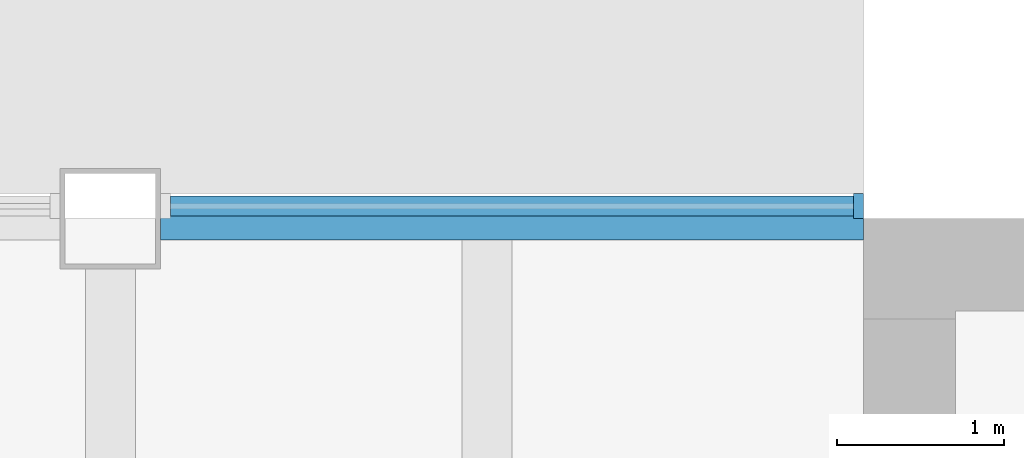
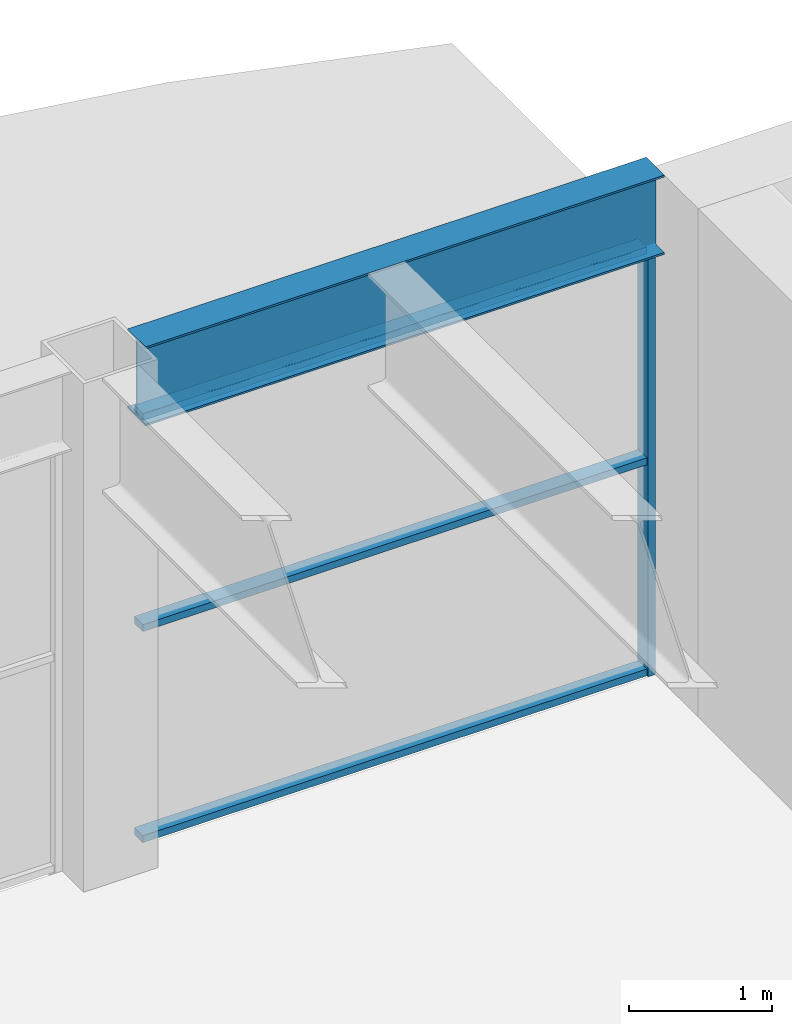
# One storey, part 6 of 14: 4 members, 1 beam, 1 element without a shape of its own.
"""IFC4 building model written with IfcOpenShell, lengths in metres."""

from ifc_helpers import new_model, si_unit, direction, frame, origin, origin_2d, place, context, subcontext, project, spatial, rectangle, i_section, extrude, material, material_profile, profile_set, type_object, element, aggregate, save


model = new_model("IFC4")

# Units and contexts
model_context = context("Model", 3, precision=1e-05, world=origin(), true_north=direction((0.0, 1.0)))
body_context = subcontext(model_context, "Body", "Model", "MODEL_VIEW")
ifc_project = project(units=[si_unit("LENGTHUNIT", "METRE"), si_unit("AREAUNIT", "SQUARE_METRE"), si_unit("VOLUMEUNIT", "CUBIC_METRE"), si_unit("PLANEANGLEUNIT", "RADIAN"), si_unit("MASSUNIT", "GRAM", prefix="KILO")], contexts=[model_context])

# Site, building, storey
site_placement = place(None, origin())
site = spatial("IfcSite", under=ifc_project, at=site_placement, CompositionType="ELEMENT")
building_placement = place(site_placement, origin())
building = spatial("IfcBuilding", under=site, at=building_placement, Name="Sennacour Bend Tower", CompositionType="ELEMENT")
storey_placement = place(building_placement, frame((0.0, 0.0, 305.0)))
storey = spatial("IfcBuildingStorey", under=building, at=storey_placement, Name="L70", CompositionType="ELEMENT", Elevation=305.0)

# Curtain wall, members
ifc_material_1 = material(Name="Bronze anodised aluminium curtain wall with clear glass", Category="aluminium")
curtain_wall_type = type_object("IfcCurtainWallType", Name="CURTAIN WALL EXEC", PredefinedType="NOTDEFINED", material=ifc_material_1)
curtain_wall_placement = place(storey_placement, origin())
curtain_wall = element("IfcCurtainWall", 1, at=curtain_wall_placement, inside=storey, type_object=curtain_wall_type, Name="Executive floor glass wall L70", PredefinedType="NOTDEFINED")
ifc_material_2 = material(Name="Aluminium 6063-T6", Category="aluminium")
ifc_material_profile_1 = material_profile(ifc_material_2, rectangle(XDim=0.14990234375, YDim=0.06005859375, at=origin_2d()), Name="Aluminium 6063-T6", Category="aluminium")
ifc_profile_set_1 = profile_set([ifc_material_profile_1], Name="Aluminium 6063-T6")
member_type_1 = type_object("IfcMemberType", Name="CW-MULLION-150X60", PredefinedType="MULLION", material=ifc_profile_set_1)
member_1_placement = place(storey_placement, frame((53.969970703125, 22.574951171875, 0.0), z_axis=(0.0, 0.0, 1.0), x_axis=(0.0, -1.0, 0.0)))
member_1 = element("IfcMember", 2, at=member_1_placement, type_object=member_type_1, Name="GW3 curtain wall mullion 1", PredefinedType="MULLION", context=body_context, shape_type="SweptSolid", body=[
    extrude(rectangle(XDim=0.14990234375, YDim=0.06005859375, at=origin_2d()), origin(), (0.0, 0.0, 1.0), 3.672119140625),
])
ifc_material_profile_2 = material_profile(ifc_material_2, rectangle(XDim=0.1201171875, YDim=0.06005859375, at=origin_2d()), Name="Aluminium 6063-T6", Category="aluminium")
ifc_profile_set_2 = profile_set([ifc_material_profile_2], Name="Aluminium 6063-T6")
member_type_2 = type_object("IfcMemberType", Name="CW-TRANSOM-120X60", PredefinedType="USERDEFINED", material=ifc_profile_set_2)
member_2_placement = place(storey_placement, frame((53.93994140625, 22.574951171875, 0.030029296875), z_axis=(-1.0, 0.0, 0.0), x_axis=(0.0, -1.0, 0.0)))
member_2 = element("IfcMember", 3, at=member_2_placement, type_object=member_type_2, Name="GW3 curtain wall transom 1.1", ObjectType="TRANSOM", PredefinedType="USERDEFINED", context=body_context, shape_type="SweptSolid", body=[
    extrude(rectangle(XDim=0.1201171875, YDim=0.06005859375, at=origin_2d()), origin(), (0.0, 0.0, 1.0), 4.079833984375),
])
member_3_placement = place(storey_placement, frame((53.93994140625, 22.574951171875, 1.8359375), z_axis=(-1.0, 0.0, 0.0), x_axis=(0.0, -1.0, 0.0)))
member_3 = element("IfcMember", 4, at=member_3_placement, type_object=member_type_2, Name="GW3 curtain wall transom 1.2", ObjectType="TRANSOM", PredefinedType="USERDEFINED", context=body_context, shape_type="SweptSolid", body=[
    extrude(rectangle(XDim=0.1201171875, YDim=0.06005859375, at=origin_2d()), origin(), (0.0, 0.0, 1.0), 4.079833984375),
])
member_4_placement = place(storey_placement, frame((53.93994140625, 22.574951171875, 3.64208984375), z_axis=(-1.0, 0.0, 0.0), x_axis=(0.0, -1.0, 0.0)))
member_4 = element("IfcMember", 5, at=member_4_placement, type_object=member_type_2, Name="GW3 curtain wall transom 1.3", ObjectType="TRANSOM", PredefinedType="USERDEFINED", context=body_context, shape_type="SweptSolid", body=[
    extrude(rectangle(XDim=0.1201171875, YDim=0.06005859375, at=origin_2d()), origin(), (0.0, 0.0, 1.0), 4.079833984375),
])
aggregate(curtain_wall, [member_1, member_2, member_3, member_4])

# Beam
ifc_material_3 = material(Name="Steel ASTM A992 Grade 50", Category="steel")
ifc_material_profile_3 = material_profile(ifc_material_3, i_section(OverallWidth=0.25390625, OverallDepth=0.677978515625, WebThickness=0.01171875, FlangeThickness=0.016357421875, FilletRadius=0.01513671875, at=origin_2d()), Name="Steel ASTM A992 Grade 50", Category="steel")
ifc_profile_set_3 = profile_set([ifc_material_profile_3], Name="Steel ASTM A992 Grade 50")
beam_type = type_object("IfcBeamType", Name="Spandrel beam W690X125", PredefinedType="SPANDREL", material=ifc_profile_set_3)
beam_placement = place(storey_placement, frame((49.800048828125, 22.5, 4.010986328125), z_axis=(1.0, 0.0, 0.0), x_axis=(0.0, 1.0, 0.0)))
element("IfcBeam", 6, at=beam_placement, inside=storey, type_object=beam_type, Name="Spandrel beam SP7 L71-017", PredefinedType="SPANDREL", context=body_context, shape_type="SweptSolid", body=[
    extrude(i_section(OverallWidth=0.25390625, OverallDepth=0.677978515625, WebThickness=0.01171875, FlangeThickness=0.016357421875, FilletRadius=0.01513671875, at=origin_2d()), origin(), (0.0, 0.0, 1.0), 4.199951171875),
])

save(model, "model.ifc")
